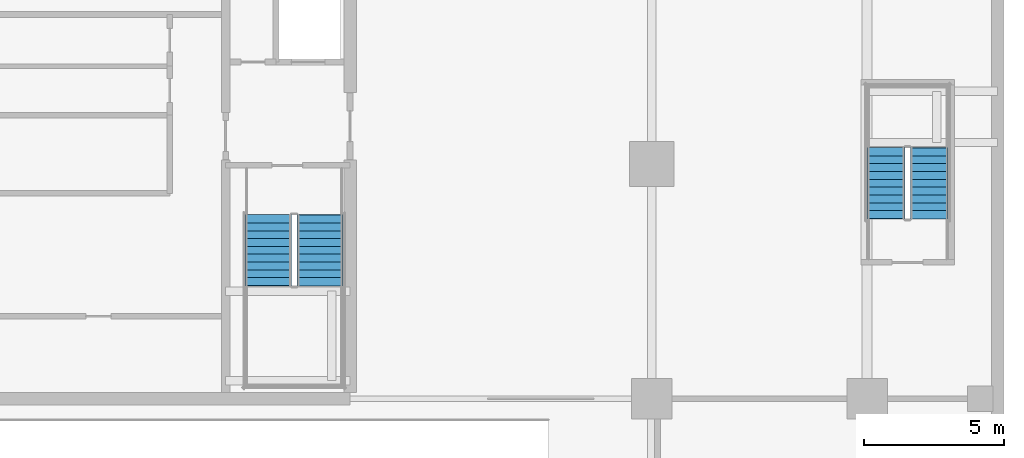
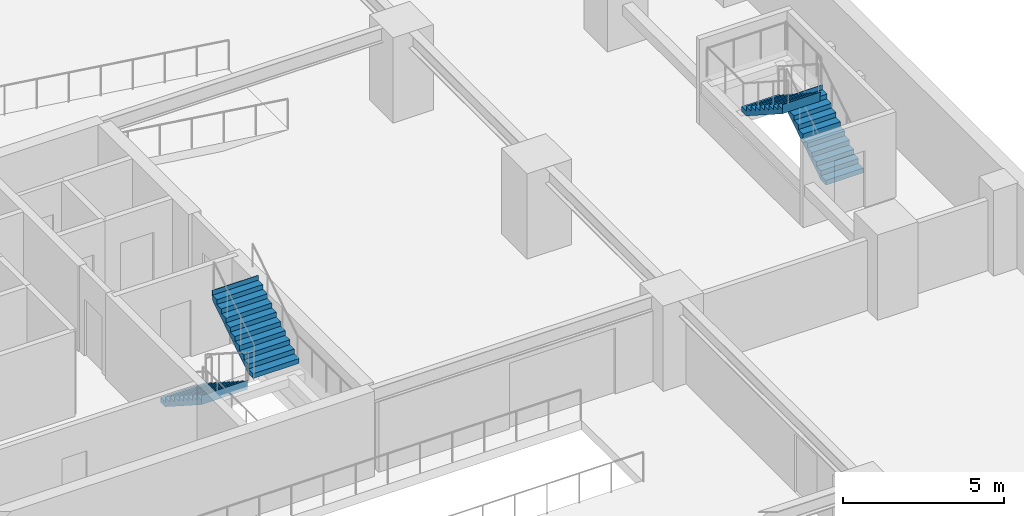
# One storey, part 6 of 10: 4 stair flights, 2 elements without a shape of their own.
"""IFC4 building model written with IfcOpenShell, lengths in metres."""

from ifc_helpers import new_model, si_unit, direction, frame, origin, place, context, subcontext, project, spatial, polygons, material, type_object, element, aggregate, save


model = new_model("IFC4")

# Units and contexts
model_context = context("Model", 3, precision=1e-05, world=origin(), true_north=direction((0.0, 1.0)))
body_context = subcontext(model_context, "Body", "Model", "MODEL_VIEW")
ifc_project = project(units=[si_unit("LENGTHUNIT", "METRE"), si_unit("AREAUNIT", "SQUARE_METRE"), si_unit("VOLUMEUNIT", "CUBIC_METRE"), si_unit("PLANEANGLEUNIT", "RADIAN"), si_unit("MASSUNIT", "GRAM", prefix="KILO")], contexts=[model_context])

# Site, building, storey
site_placement = place(None, origin())
site = spatial("IfcSite", under=ifc_project, at=site_placement, CompositionType="ELEMENT")
building_placement = place(site_placement, origin())
building = spatial("IfcBuilding", under=site, at=building_placement, Name="Serunith Strait Residences", CompositionType="ELEMENT")
storey_placement = place(building_placement, frame((0.0, 0.0, -7.199951171875)))
storey = spatial("IfcBuildingStorey", under=building, at=storey_placement, Name="B02", CompositionType="ELEMENT", Elevation=-7.199951171875)

# Stair, stair flights
ifc_material = material(Name="Concrete C50/60", Category="concrete")
stair_type_1 = type_object("IfcStairType", Name="STR-BSMT-6", PredefinedType="HALF_TURN_STAIR", material=ifc_material)
stair_1_placement = place(storey_placement, origin())
stair_1 = element("IfcStair", 1, at=stair_1_placement, inside=storey, type_object=stair_type_1, Name="B02 Basement Escape Stair ST-6", PredefinedType="HALF_TURN_STAIR")
stair_flight_type_1 = type_object("IfcStairFlightType", Name="FLT-BSMT-6", PredefinedType="STRAIGHT", material=ifc_material)
stair_flight_1_placement = place(storey_placement, frame((62.125, 23.25, 0.0), z_axis=(0.0, 0.0, 1.0), x_axis=(0.0, 1.0, 0.0)))
stair_flight_1 = element("IfcStairFlight", 2, at=stair_flight_1_placement, type_object=stair_flight_type_1, Name="ST-6 flight 1", NumberOfRisers=10, NumberOfTreads=9, PredefinedType="STRAIGHT", RiserHeight=0.18, TreadLength=0.28, context=body_context, shape_type="Tessellation", body=[
    polygons([(-0.02001953125, -0.675048828125, 0.0), (-0.02001953125, -0.675048828125, 0.179931640625), (0.280029296875, -0.675048828125, 0.179931640625), (0.280029296875, -0.675048828125, 0.360107421875), (0.56005859375, -0.675048828125, 0.360107421875), (0.56005859375, -0.675048828125, 0.5400390625), (0.840087890625, -0.675048828125, 0.5400390625), (0.840087890625, -0.675048828125, 0.719970703125), (1.1201171875, -0.675048828125, 0.719970703125), (1.1201171875, -0.675048828125, 0.89990234375), (1.39990234375, -0.675048828125, 0.89990234375), (1.39990234375, -0.675048828125, 1.080078125), (1.679931640625, -0.675048828125, 1.080078125), (1.679931640625, -0.675048828125, 1.260009765625), (1.9599609375, -0.675048828125, 1.260009765625), (1.9599609375, -0.675048828125, 1.43994140625), (2.239990234375, -0.675048828125, 1.43994140625), (2.239990234375, -0.675048828125, 1.6201171875), (2.52001953125, -0.675048828125, 1.6201171875), (2.52001953125, -0.675048828125, 1.800048828125), (2.5400390625, -0.675048828125, 1.800048828125), (2.5400390625, -0.675048828125, 1.739990234375), (2.52001953125, -0.675048828125, 1.44189453125), (0.277099609375, -0.675048828125, 0.0), (-0.02001953125, -0.33740234375, 0.0), (-0.02001953125, -0.33740234375, 0.179931640625), (0.280029296875, -0.33740234375, 0.179931640625), (0.280029296875, -0.33740234375, 0.360107421875), (0.56005859375, -0.33740234375, 0.360107421875), (0.56005859375, -0.33740234375, 0.5400390625), (0.840087890625, -0.33740234375, 0.5400390625), (0.840087890625, -0.33740234375, 0.719970703125), (1.1201171875, -0.33740234375, 0.719970703125), (1.1201171875, -0.33740234375, 0.89990234375), (1.39990234375, -0.33740234375, 0.89990234375), (1.39990234375, -0.33740234375, 1.080078125), (1.679931640625, -0.33740234375, 1.080078125), (1.679931640625, -0.33740234375, 1.260009765625), (1.9599609375, -0.33740234375, 1.260009765625), (1.9599609375, -0.33740234375, 1.43994140625), (2.239990234375, -0.33740234375, 1.43994140625), (2.239990234375, -0.33740234375, 1.6201171875), (2.52001953125, -0.33740234375, 1.6201171875), (2.52001953125, -0.33740234375, 1.800048828125), (2.5400390625, -0.33740234375, 1.800048828125), (2.5400390625, -0.33740234375, 1.739990234375), (2.52001953125, -0.33740234375, 1.44189453125), (0.277099609375, -0.33740234375, 0.0), (-0.02001953125, 0.0, 0.0), (-0.02001953125, 0.0, 0.179931640625), (0.280029296875, 0.0, 0.179931640625), (0.280029296875, 0.0, 0.360107421875), (0.56005859375, 0.0, 0.360107421875), (0.56005859375, 0.0, 0.5400390625), (0.840087890625, 0.0, 0.5400390625), (0.840087890625, 0.0, 0.719970703125), (1.1201171875, 0.0, 0.719970703125), (1.1201171875, 0.0, 0.89990234375), (1.39990234375, 0.0, 0.89990234375), (1.39990234375, 0.0, 1.080078125), (1.679931640625, 0.0, 1.080078125), (1.679931640625, 0.0, 1.260009765625), (1.9599609375, 0.0, 1.260009765625), (1.9599609375, 0.0, 1.43994140625), (2.239990234375, 0.0, 1.43994140625), (2.239990234375, 0.0, 1.6201171875), (2.52001953125, 0.0, 1.6201171875), (2.52001953125, 0.0, 1.800048828125), (2.5400390625, 0.0, 1.800048828125), (2.5400390625, 0.0, 1.739990234375), (2.52001953125, 0.0, 1.44189453125), (0.277099609375, 0.0, 0.0), (-0.02001953125, 0.33740234375, 0.0), (-0.02001953125, 0.33740234375, 0.179931640625), (0.280029296875, 0.33740234375, 0.179931640625), (0.280029296875, 0.33740234375, 0.360107421875), (0.56005859375, 0.33740234375, 0.360107421875), (0.56005859375, 0.33740234375, 0.5400390625), (0.840087890625, 0.33740234375, 0.5400390625), (0.840087890625, 0.33740234375, 0.719970703125), (1.1201171875, 0.33740234375, 0.719970703125), (1.1201171875, 0.33740234375, 0.89990234375), (1.39990234375, 0.33740234375, 0.89990234375), (1.39990234375, 0.33740234375, 1.080078125), (1.679931640625, 0.33740234375, 1.080078125), (1.679931640625, 0.33740234375, 1.260009765625), (1.9599609375, 0.33740234375, 1.260009765625), (1.9599609375, 0.33740234375, 1.43994140625), (2.239990234375, 0.33740234375, 1.43994140625), (2.239990234375, 0.33740234375, 1.6201171875), (2.52001953125, 0.33740234375, 1.6201171875), (2.52001953125, 0.33740234375, 1.800048828125), (2.5400390625, 0.33740234375, 1.800048828125), (2.5400390625, 0.33740234375, 1.739990234375), (2.52001953125, 0.33740234375, 1.44189453125), (0.277099609375, 0.33740234375, 0.0), (-0.02001953125, 0.675048828125, 0.0), (-0.02001953125, 0.675048828125, 0.179931640625), (0.280029296875, 0.675048828125, 0.179931640625), (0.280029296875, 0.675048828125, 0.360107421875), (0.56005859375, 0.675048828125, 0.360107421875), (0.56005859375, 0.675048828125, 0.5400390625), (0.840087890625, 0.675048828125, 0.5400390625), (0.840087890625, 0.675048828125, 0.719970703125), (1.1201171875, 0.675048828125, 0.719970703125), (1.1201171875, 0.675048828125, 0.89990234375), (1.39990234375, 0.675048828125, 0.89990234375), (1.39990234375, 0.675048828125, 1.080078125), (1.679931640625, 0.675048828125, 1.080078125), (1.679931640625, 0.675048828125, 1.260009765625), (1.9599609375, 0.675048828125, 1.260009765625), (1.9599609375, 0.675048828125, 1.43994140625), (2.239990234375, 0.675048828125, 1.43994140625), (2.239990234375, 0.675048828125, 1.6201171875), (2.52001953125, 0.675048828125, 1.6201171875), (2.52001953125, 0.675048828125, 1.800048828125), (2.5400390625, 0.675048828125, 1.800048828125), (2.5400390625, 0.675048828125, 1.739990234375), (2.52001953125, 0.675048828125, 1.44189453125), (0.277099609375, 0.675048828125, 0.0)], [[[1, 2, 26, 25]], [[2, 3, 27, 26]], [[3, 4, 28, 27]], [[4, 5, 29, 28]], [[5, 6, 30, 29]], [[6, 7, 31, 30]], [[7, 8, 32, 31]], [[8, 9, 33, 32]], [[9, 10, 34, 33]], [[10, 11, 35, 34]], [[11, 12, 36, 35]], [[12, 13, 37, 36]], [[13, 14, 38, 37]], [[14, 15, 39, 38]], [[15, 16, 40, 39]], [[16, 17, 41, 40]], [[17, 18, 42, 41]], [[18, 19, 43, 42]], [[19, 20, 44, 43]], [[20, 21, 45, 44]], [[21, 22, 46, 45]], [[22, 23, 47, 46]], [[23, 24, 48, 47]], [[24, 1, 25, 48]], [[25, 26, 50, 49]], [[26, 27, 51, 50]], [[27, 28, 52, 51]], [[28, 29, 53, 52]], [[29, 30, 54, 53]], [[30, 31, 55, 54]], [[31, 32, 56, 55]], [[32, 33, 57, 56]], [[33, 34, 58, 57]], [[34, 35, 59, 58]], [[35, 36, 60, 59]], [[36, 37, 61, 60]], [[37, 38, 62, 61]], [[38, 39, 63, 62]], [[39, 40, 64, 63]], [[40, 41, 65, 64]], [[41, 42, 66, 65]], [[42, 43, 67, 66]], [[43, 44, 68, 67]], [[44, 45, 69, 68]], [[45, 46, 70, 69]], [[46, 47, 71, 70]], [[47, 48, 72, 71]], [[48, 25, 49, 72]], [[49, 50, 74, 73]], [[50, 51, 75, 74]], [[51, 52, 76, 75]], [[52, 53, 77, 76]], [[53, 54, 78, 77]], [[54, 55, 79, 78]], [[55, 56, 80, 79]], [[56, 57, 81, 80]], [[57, 58, 82, 81]], [[58, 59, 83, 82]], [[59, 60, 84, 83]], [[60, 61, 85, 84]], [[61, 62, 86, 85]], [[62, 63, 87, 86]], [[63, 64, 88, 87]], [[64, 65, 89, 88]], [[65, 66, 90, 89]], [[66, 67, 91, 90]], [[67, 68, 92, 91]], [[68, 69, 93, 92]], [[69, 70, 94, 93]], [[70, 71, 95, 94]], [[71, 72, 96, 95]], [[72, 49, 73, 96]], [[73, 74, 98, 97]], [[74, 75, 99, 98]], [[75, 76, 100, 99]], [[76, 77, 101, 100]], [[77, 78, 102, 101]], [[78, 79, 103, 102]], [[79, 80, 104, 103]], [[80, 81, 105, 104]], [[81, 82, 106, 105]], [[82, 83, 107, 106]], [[83, 84, 108, 107]], [[84, 85, 109, 108]], [[85, 86, 110, 109]], [[86, 87, 111, 110]], [[87, 88, 112, 111]], [[88, 89, 113, 112]], [[89, 90, 114, 113]], [[90, 91, 115, 114]], [[91, 92, 116, 115]], [[92, 93, 117, 116]], [[93, 94, 118, 117]], [[94, 95, 119, 118]], [[95, 96, 120, 119]], [[96, 73, 97, 120]], [[24, 23, 22, 21, 20, 19, 18, 17, 16, 15, 14, 13, 12, 11, 10, 9, 8, 7, 6, 5, 4, 3, 2, 1]], [[97, 98, 99, 100, 101, 102, 103, 104, 105, 106, 107, 108, 109, 110, 111, 112, 113, 114, 115, 116, 117, 118, 119, 120]]], closed=True),
])
stair_flight_2_placement = place(storey_placement, frame((60.574951171875, 25.77001953125, 1.800048828125), z_axis=(0.0, 0.0, 1.0), x_axis=(0.0, -1.0, 0.0)))
stair_flight_2 = element("IfcStairFlight", 3, at=stair_flight_2_placement, type_object=stair_flight_type_1, Name="ST-6 flight 2", NumberOfRisers=10, NumberOfTreads=9, PredefinedType="STRAIGHT", RiserHeight=0.18, TreadLength=0.28, context=body_context, shape_type="Tessellation", body=[
    polygons([(-0.02001953125, -0.675048828125, 0.0), (-0.02001953125, -0.675048828125, 0.179931640625), (0.280029296875, -0.675048828125, 0.179931640625), (0.280029296875, -0.675048828125, 0.360107421875), (0.56005859375, -0.675048828125, 0.360107421875), (0.56005859375, -0.675048828125, 0.5400390625), (0.840087890625, -0.675048828125, 0.5400390625), (0.840087890625, -0.675048828125, 0.719970703125), (1.1201171875, -0.675048828125, 0.719970703125), (1.1201171875, -0.675048828125, 0.89990234375), (1.39990234375, -0.675048828125, 0.89990234375), (1.39990234375, -0.675048828125, 1.080078125), (1.679931640625, -0.675048828125, 1.080078125), (1.679931640625, -0.675048828125, 1.260009765625), (1.9599609375, -0.675048828125, 1.260009765625), (1.9599609375, -0.675048828125, 1.43994140625), (2.239990234375, -0.675048828125, 1.43994140625), (2.239990234375, -0.675048828125, 1.6201171875), (2.52001953125, -0.675048828125, 1.6201171875), (2.52001953125, -0.675048828125, 1.800048828125), (2.5400390625, -0.675048828125, 1.800048828125), (2.5400390625, -0.675048828125, 1.739990234375), (2.52001953125, -0.675048828125, 1.44189453125), (0.277099609375, -0.675048828125, 0.0), (-0.02001953125, -0.33740234375, 0.0), (-0.02001953125, -0.33740234375, 0.179931640625), (0.280029296875, -0.33740234375, 0.179931640625), (0.280029296875, -0.33740234375, 0.360107421875), (0.56005859375, -0.33740234375, 0.360107421875), (0.56005859375, -0.33740234375, 0.5400390625), (0.840087890625, -0.33740234375, 0.5400390625), (0.840087890625, -0.33740234375, 0.719970703125), (1.1201171875, -0.33740234375, 0.719970703125), (1.1201171875, -0.33740234375, 0.89990234375), (1.39990234375, -0.33740234375, 0.89990234375), (1.39990234375, -0.33740234375, 1.080078125), (1.679931640625, -0.33740234375, 1.080078125), (1.679931640625, -0.33740234375, 1.260009765625), (1.9599609375, -0.33740234375, 1.260009765625), (1.9599609375, -0.33740234375, 1.43994140625), (2.239990234375, -0.33740234375, 1.43994140625), (2.239990234375, -0.33740234375, 1.6201171875), (2.52001953125, -0.33740234375, 1.6201171875), (2.52001953125, -0.33740234375, 1.800048828125), (2.5400390625, -0.33740234375, 1.800048828125), (2.5400390625, -0.33740234375, 1.739990234375), (2.52001953125, -0.33740234375, 1.44189453125), (0.277099609375, -0.33740234375, 0.0), (-0.02001953125, 0.0, 0.0), (-0.02001953125, 0.0, 0.179931640625), (0.280029296875, 0.0, 0.179931640625), (0.280029296875, 0.0, 0.360107421875), (0.56005859375, 0.0, 0.360107421875), (0.56005859375, 0.0, 0.5400390625), (0.840087890625, 0.0, 0.5400390625), (0.840087890625, 0.0, 0.719970703125), (1.1201171875, 0.0, 0.719970703125), (1.1201171875, 0.0, 0.89990234375), (1.39990234375, 0.0, 0.89990234375), (1.39990234375, 0.0, 1.080078125), (1.679931640625, 0.0, 1.080078125), (1.679931640625, 0.0, 1.260009765625), (1.9599609375, 0.0, 1.260009765625), (1.9599609375, 0.0, 1.43994140625), (2.239990234375, 0.0, 1.43994140625), (2.239990234375, 0.0, 1.6201171875), (2.52001953125, 0.0, 1.6201171875), (2.52001953125, 0.0, 1.800048828125), (2.5400390625, 0.0, 1.800048828125), (2.5400390625, 0.0, 1.739990234375), (2.52001953125, 0.0, 1.44189453125), (0.277099609375, 0.0, 0.0), (-0.02001953125, 0.33740234375, 0.0), (-0.02001953125, 0.33740234375, 0.179931640625), (0.280029296875, 0.33740234375, 0.179931640625), (0.280029296875, 0.33740234375, 0.360107421875), (0.56005859375, 0.33740234375, 0.360107421875), (0.56005859375, 0.33740234375, 0.5400390625), (0.840087890625, 0.33740234375, 0.5400390625), (0.840087890625, 0.33740234375, 0.719970703125), (1.1201171875, 0.33740234375, 0.719970703125), (1.1201171875, 0.33740234375, 0.89990234375), (1.39990234375, 0.33740234375, 0.89990234375), (1.39990234375, 0.33740234375, 1.080078125), (1.679931640625, 0.33740234375, 1.080078125), (1.679931640625, 0.33740234375, 1.260009765625), (1.9599609375, 0.33740234375, 1.260009765625), (1.9599609375, 0.33740234375, 1.43994140625), (2.239990234375, 0.33740234375, 1.43994140625), (2.239990234375, 0.33740234375, 1.6201171875), (2.52001953125, 0.33740234375, 1.6201171875), (2.52001953125, 0.33740234375, 1.800048828125), (2.5400390625, 0.33740234375, 1.800048828125), (2.5400390625, 0.33740234375, 1.739990234375), (2.52001953125, 0.33740234375, 1.44189453125), (0.277099609375, 0.33740234375, 0.0), (-0.02001953125, 0.675048828125, 0.0), (-0.02001953125, 0.675048828125, 0.179931640625), (0.280029296875, 0.675048828125, 0.179931640625), (0.280029296875, 0.675048828125, 0.360107421875), (0.56005859375, 0.675048828125, 0.360107421875), (0.56005859375, 0.675048828125, 0.5400390625), (0.840087890625, 0.675048828125, 0.5400390625), (0.840087890625, 0.675048828125, 0.719970703125), (1.1201171875, 0.675048828125, 0.719970703125), (1.1201171875, 0.675048828125, 0.89990234375), (1.39990234375, 0.675048828125, 0.89990234375), (1.39990234375, 0.675048828125, 1.080078125), (1.679931640625, 0.675048828125, 1.080078125), (1.679931640625, 0.675048828125, 1.260009765625), (1.9599609375, 0.675048828125, 1.260009765625), (1.9599609375, 0.675048828125, 1.43994140625), (2.239990234375, 0.675048828125, 1.43994140625), (2.239990234375, 0.675048828125, 1.6201171875), (2.52001953125, 0.675048828125, 1.6201171875), (2.52001953125, 0.675048828125, 1.800048828125), (2.5400390625, 0.675048828125, 1.800048828125), (2.5400390625, 0.675048828125, 1.739990234375), (2.52001953125, 0.675048828125, 1.44189453125), (0.277099609375, 0.675048828125, 0.0)], [[[1, 2, 26, 25]], [[2, 3, 27, 26]], [[3, 4, 28, 27]], [[4, 5, 29, 28]], [[5, 6, 30, 29]], [[6, 7, 31, 30]], [[7, 8, 32, 31]], [[8, 9, 33, 32]], [[9, 10, 34, 33]], [[10, 11, 35, 34]], [[11, 12, 36, 35]], [[12, 13, 37, 36]], [[13, 14, 38, 37]], [[14, 15, 39, 38]], [[15, 16, 40, 39]], [[16, 17, 41, 40]], [[17, 18, 42, 41]], [[18, 19, 43, 42]], [[19, 20, 44, 43]], [[20, 21, 45, 44]], [[21, 22, 46, 45]], [[22, 23, 47, 46]], [[23, 24, 48, 47]], [[24, 1, 25, 48]], [[25, 26, 50, 49]], [[26, 27, 51, 50]], [[27, 28, 52, 51]], [[28, 29, 53, 52]], [[29, 30, 54, 53]], [[30, 31, 55, 54]], [[31, 32, 56, 55]], [[32, 33, 57, 56]], [[33, 34, 58, 57]], [[34, 35, 59, 58]], [[35, 36, 60, 59]], [[36, 37, 61, 60]], [[37, 38, 62, 61]], [[38, 39, 63, 62]], [[39, 40, 64, 63]], [[40, 41, 65, 64]], [[41, 42, 66, 65]], [[42, 43, 67, 66]], [[43, 44, 68, 67]], [[44, 45, 69, 68]], [[45, 46, 70, 69]], [[46, 47, 71, 70]], [[47, 48, 72, 71]], [[48, 25, 49, 72]], [[49, 50, 74, 73]], [[50, 51, 75, 74]], [[51, 52, 76, 75]], [[52, 53, 77, 76]], [[53, 54, 78, 77]], [[54, 55, 79, 78]], [[55, 56, 80, 79]], [[56, 57, 81, 80]], [[57, 58, 82, 81]], [[58, 59, 83, 82]], [[59, 60, 84, 83]], [[60, 61, 85, 84]], [[61, 62, 86, 85]], [[62, 63, 87, 86]], [[63, 64, 88, 87]], [[64, 65, 89, 88]], [[65, 66, 90, 89]], [[66, 67, 91, 90]], [[67, 68, 92, 91]], [[68, 69, 93, 92]], [[69, 70, 94, 93]], [[70, 71, 95, 94]], [[71, 72, 96, 95]], [[72, 49, 73, 96]], [[73, 74, 98, 97]], [[74, 75, 99, 98]], [[75, 76, 100, 99]], [[76, 77, 101, 100]], [[77, 78, 102, 101]], [[78, 79, 103, 102]], [[79, 80, 104, 103]], [[80, 81, 105, 104]], [[81, 82, 106, 105]], [[82, 83, 107, 106]], [[83, 84, 108, 107]], [[84, 85, 109, 108]], [[85, 86, 110, 109]], [[86, 87, 111, 110]], [[87, 88, 112, 111]], [[88, 89, 113, 112]], [[89, 90, 114, 113]], [[90, 91, 115, 114]], [[91, 92, 116, 115]], [[92, 93, 117, 116]], [[93, 94, 118, 117]], [[94, 95, 119, 118]], [[95, 96, 120, 119]], [[96, 73, 97, 120]], [[24, 23, 22, 21, 20, 19, 18, 17, 16, 15, 14, 13, 12, 11, 10, 9, 8, 7, 6, 5, 4, 3, 2, 1]], [[97, 98, 99, 100, 101, 102, 103, 104, 105, 106, 107, 108, 109, 110, 111, 112, 113, 114, 115, 116, 117, 118, 119, 120]]], closed=True),
])
aggregate(stair_1, [stair_flight_1, stair_flight_2])

stair_type_2 = type_object("IfcStairType", Name="STR-CORE-2", PredefinedType="HALF_TURN_STAIR", material=ifc_material)
stair_2_placement = place(storey_placement, origin())
stair_2 = element("IfcStair", 4, at=stair_2_placement, inside=storey, type_object=stair_type_2, Name="B02 Protected Escape Stair ST-2", PredefinedType="HALF_TURN_STAIR")
stair_flight_type_2 = type_object("IfcStairFlightType", Name="FLT-CORE-2", PredefinedType="STRAIGHT", material=ifc_material)
stair_flight_3_placement = place(storey_placement, frame((38.47509765625, 23.3701171875, 0.0), z_axis=(0.0, 0.0, 1.0), x_axis=(0.0, -1.0, 0.0)))
stair_flight_3 = element("IfcStairFlight", 5, at=stair_flight_3_placement, type_object=stair_flight_type_2, Name="ST-2 flight 1", NumberOfRisers=10, NumberOfTreads=9, PredefinedType="STRAIGHT", RiserHeight=0.18, TreadLength=0.28, context=body_context, shape_type="Tessellation", body=[
    polygons([(-0.02001953125, -0.824951171875, 0.0), (-0.02001953125, -0.824951171875, 0.179931640625), (0.280029296875, -0.824951171875, 0.179931640625), (0.280029296875, -0.824951171875, 0.360107421875), (0.56005859375, -0.824951171875, 0.360107421875), (0.56005859375, -0.824951171875, 0.5400390625), (0.840087890625, -0.824951171875, 0.5400390625), (0.840087890625, -0.824951171875, 0.719970703125), (1.1201171875, -0.824951171875, 0.719970703125), (1.1201171875, -0.824951171875, 0.89990234375), (1.39990234375, -0.824951171875, 0.89990234375), (1.39990234375, -0.824951171875, 1.080078125), (1.679931640625, -0.824951171875, 1.080078125), (1.679931640625, -0.824951171875, 1.260009765625), (1.9599609375, -0.824951171875, 1.260009765625), (1.9599609375, -0.824951171875, 1.43994140625), (2.239990234375, -0.824951171875, 1.43994140625), (2.239990234375, -0.824951171875, 1.6201171875), (2.52001953125, -0.824951171875, 1.6201171875), (2.52001953125, -0.824951171875, 1.800048828125), (2.5400390625, -0.824951171875, 1.800048828125), (2.5400390625, -0.824951171875, 1.739990234375), (2.52001953125, -0.824951171875, 1.44189453125), (0.277099609375, -0.824951171875, 0.0), (-0.02001953125, -0.41259765625, 0.0), (-0.02001953125, -0.41259765625, 0.179931640625), (0.280029296875, -0.41259765625, 0.179931640625), (0.280029296875, -0.41259765625, 0.360107421875), (0.56005859375, -0.41259765625, 0.360107421875), (0.56005859375, -0.41259765625, 0.5400390625), (0.840087890625, -0.41259765625, 0.5400390625), (0.840087890625, -0.41259765625, 0.719970703125), (1.1201171875, -0.41259765625, 0.719970703125), (1.1201171875, -0.41259765625, 0.89990234375), (1.39990234375, -0.41259765625, 0.89990234375), (1.39990234375, -0.41259765625, 1.080078125), (1.679931640625, -0.41259765625, 1.080078125), (1.679931640625, -0.41259765625, 1.260009765625), (1.9599609375, -0.41259765625, 1.260009765625), (1.9599609375, -0.41259765625, 1.43994140625), (2.239990234375, -0.41259765625, 1.43994140625), (2.239990234375, -0.41259765625, 1.6201171875), (2.52001953125, -0.41259765625, 1.6201171875), (2.52001953125, -0.41259765625, 1.800048828125), (2.5400390625, -0.41259765625, 1.800048828125), (2.5400390625, -0.41259765625, 1.739990234375), (2.52001953125, -0.41259765625, 1.44189453125), (0.277099609375, -0.41259765625, 0.0), (-0.02001953125, 0.0, 0.0), (-0.02001953125, 0.0, 0.179931640625), (0.280029296875, 0.0, 0.179931640625), (0.280029296875, 0.0, 0.360107421875), (0.56005859375, 0.0, 0.360107421875), (0.56005859375, 0.0, 0.5400390625), (0.840087890625, 0.0, 0.5400390625), (0.840087890625, 0.0, 0.719970703125), (1.1201171875, 0.0, 0.719970703125), (1.1201171875, 0.0, 0.89990234375), (1.39990234375, 0.0, 0.89990234375), (1.39990234375, 0.0, 1.080078125), (1.679931640625, 0.0, 1.080078125), (1.679931640625, 0.0, 1.260009765625), (1.9599609375, 0.0, 1.260009765625), (1.9599609375, 0.0, 1.43994140625), (2.239990234375, 0.0, 1.43994140625), (2.239990234375, 0.0, 1.6201171875), (2.52001953125, 0.0, 1.6201171875), (2.52001953125, 0.0, 1.800048828125), (2.5400390625, 0.0, 1.800048828125), (2.5400390625, 0.0, 1.739990234375), (2.52001953125, 0.0, 1.44189453125), (0.277099609375, 0.0, 0.0), (-0.02001953125, 0.41259765625, 0.0), (-0.02001953125, 0.41259765625, 0.179931640625), (0.280029296875, 0.41259765625, 0.179931640625), (0.280029296875, 0.41259765625, 0.360107421875), (0.56005859375, 0.41259765625, 0.360107421875), (0.56005859375, 0.41259765625, 0.5400390625), (0.840087890625, 0.41259765625, 0.5400390625), (0.840087890625, 0.41259765625, 0.719970703125), (1.1201171875, 0.41259765625, 0.719970703125), (1.1201171875, 0.41259765625, 0.89990234375), (1.39990234375, 0.41259765625, 0.89990234375), (1.39990234375, 0.41259765625, 1.080078125), (1.679931640625, 0.41259765625, 1.080078125), (1.679931640625, 0.41259765625, 1.260009765625), (1.9599609375, 0.41259765625, 1.260009765625), (1.9599609375, 0.41259765625, 1.43994140625), (2.239990234375, 0.41259765625, 1.43994140625), (2.239990234375, 0.41259765625, 1.6201171875), (2.52001953125, 0.41259765625, 1.6201171875), (2.52001953125, 0.41259765625, 1.800048828125), (2.5400390625, 0.41259765625, 1.800048828125), (2.5400390625, 0.41259765625, 1.739990234375), (2.52001953125, 0.41259765625, 1.44189453125), (0.277099609375, 0.41259765625, 0.0), (-0.02001953125, 0.824951171875, 0.0), (-0.02001953125, 0.824951171875, 0.179931640625), (0.280029296875, 0.824951171875, 0.179931640625), (0.280029296875, 0.824951171875, 0.360107421875), (0.56005859375, 0.824951171875, 0.360107421875), (0.56005859375, 0.824951171875, 0.5400390625), (0.840087890625, 0.824951171875, 0.5400390625), (0.840087890625, 0.824951171875, 0.719970703125), (1.1201171875, 0.824951171875, 0.719970703125), (1.1201171875, 0.824951171875, 0.89990234375), (1.39990234375, 0.824951171875, 0.89990234375), (1.39990234375, 0.824951171875, 1.080078125), (1.679931640625, 0.824951171875, 1.080078125), (1.679931640625, 0.824951171875, 1.260009765625), (1.9599609375, 0.824951171875, 1.260009765625), (1.9599609375, 0.824951171875, 1.43994140625), (2.239990234375, 0.824951171875, 1.43994140625), (2.239990234375, 0.824951171875, 1.6201171875), (2.52001953125, 0.824951171875, 1.6201171875), (2.52001953125, 0.824951171875, 1.800048828125), (2.5400390625, 0.824951171875, 1.800048828125), (2.5400390625, 0.824951171875, 1.739990234375), (2.52001953125, 0.824951171875, 1.44189453125), (0.277099609375, 0.824951171875, 0.0)], [[[1, 2, 26, 25]], [[2, 3, 27, 26]], [[3, 4, 28, 27]], [[4, 5, 29, 28]], [[5, 6, 30, 29]], [[6, 7, 31, 30]], [[7, 8, 32, 31]], [[8, 9, 33, 32]], [[9, 10, 34, 33]], [[10, 11, 35, 34]], [[11, 12, 36, 35]], [[12, 13, 37, 36]], [[13, 14, 38, 37]], [[14, 15, 39, 38]], [[15, 16, 40, 39]], [[16, 17, 41, 40]], [[17, 18, 42, 41]], [[18, 19, 43, 42]], [[19, 20, 44, 43]], [[20, 21, 45, 44]], [[21, 22, 46, 45]], [[22, 23, 47, 46]], [[23, 24, 48, 47]], [[24, 1, 25, 48]], [[25, 26, 50, 49]], [[26, 27, 51, 50]], [[27, 28, 52, 51]], [[28, 29, 53, 52]], [[29, 30, 54, 53]], [[30, 31, 55, 54]], [[31, 32, 56, 55]], [[32, 33, 57, 56]], [[33, 34, 58, 57]], [[34, 35, 59, 58]], [[35, 36, 60, 59]], [[36, 37, 61, 60]], [[37, 38, 62, 61]], [[38, 39, 63, 62]], [[39, 40, 64, 63]], [[40, 41, 65, 64]], [[41, 42, 66, 65]], [[42, 43, 67, 66]], [[43, 44, 68, 67]], [[44, 45, 69, 68]], [[45, 46, 70, 69]], [[46, 47, 71, 70]], [[47, 48, 72, 71]], [[48, 25, 49, 72]], [[49, 50, 74, 73]], [[50, 51, 75, 74]], [[51, 52, 76, 75]], [[52, 53, 77, 76]], [[53, 54, 78, 77]], [[54, 55, 79, 78]], [[55, 56, 80, 79]], [[56, 57, 81, 80]], [[57, 58, 82, 81]], [[58, 59, 83, 82]], [[59, 60, 84, 83]], [[60, 61, 85, 84]], [[61, 62, 86, 85]], [[62, 63, 87, 86]], [[63, 64, 88, 87]], [[64, 65, 89, 88]], [[65, 66, 90, 89]], [[66, 67, 91, 90]], [[67, 68, 92, 91]], [[68, 69, 93, 92]], [[69, 70, 94, 93]], [[70, 71, 95, 94]], [[71, 72, 96, 95]], [[72, 49, 73, 96]], [[73, 74, 98, 97]], [[74, 75, 99, 98]], [[75, 76, 100, 99]], [[76, 77, 101, 100]], [[77, 78, 102, 101]], [[78, 79, 103, 102]], [[79, 80, 104, 103]], [[80, 81, 105, 104]], [[81, 82, 106, 105]], [[82, 83, 107, 106]], [[83, 84, 108, 107]], [[84, 85, 109, 108]], [[85, 86, 110, 109]], [[86, 87, 111, 110]], [[87, 88, 112, 111]], [[88, 89, 113, 112]], [[89, 90, 114, 113]], [[90, 91, 115, 114]], [[91, 92, 116, 115]], [[92, 93, 117, 116]], [[93, 94, 118, 117]], [[94, 95, 119, 118]], [[95, 96, 120, 119]], [[96, 73, 97, 120]], [[24, 23, 22, 21, 20, 19, 18, 17, 16, 15, 14, 13, 12, 11, 10, 9, 8, 7, 6, 5, 4, 3, 2, 1]], [[97, 98, 99, 100, 101, 102, 103, 104, 105, 106, 107, 108, 109, 110, 111, 112, 113, 114, 115, 116, 117, 118, 119, 120]]], closed=True),
])
stair_flight_4_placement = place(storey_placement, frame((40.324951171875, 20.85009765625, 1.800048828125), z_axis=(0.0, 0.0, 1.0), x_axis=(0.0, 1.0, 0.0)))
stair_flight_4 = element("IfcStairFlight", 6, at=stair_flight_4_placement, type_object=stair_flight_type_2, Name="ST-2 flight 2", NumberOfRisers=10, NumberOfTreads=9, PredefinedType="STRAIGHT", RiserHeight=0.18, TreadLength=0.28, context=body_context, shape_type="Tessellation", body=[
    polygons([(-0.02001953125, -0.824951171875, 0.0), (-0.02001953125, -0.824951171875, 0.179931640625), (0.280029296875, -0.824951171875, 0.179931640625), (0.280029296875, -0.824951171875, 0.360107421875), (0.56005859375, -0.824951171875, 0.360107421875), (0.56005859375, -0.824951171875, 0.5400390625), (0.840087890625, -0.824951171875, 0.5400390625), (0.840087890625, -0.824951171875, 0.719970703125), (1.1201171875, -0.824951171875, 0.719970703125), (1.1201171875, -0.824951171875, 0.89990234375), (1.39990234375, -0.824951171875, 0.89990234375), (1.39990234375, -0.824951171875, 1.080078125), (1.679931640625, -0.824951171875, 1.080078125), (1.679931640625, -0.824951171875, 1.260009765625), (1.9599609375, -0.824951171875, 1.260009765625), (1.9599609375, -0.824951171875, 1.43994140625), (2.239990234375, -0.824951171875, 1.43994140625), (2.239990234375, -0.824951171875, 1.6201171875), (2.52001953125, -0.824951171875, 1.6201171875), (2.52001953125, -0.824951171875, 1.800048828125), (2.5400390625, -0.824951171875, 1.800048828125), (2.5400390625, -0.824951171875, 1.739990234375), (2.52001953125, -0.824951171875, 1.44189453125), (0.277099609375, -0.824951171875, 0.0), (-0.02001953125, -0.41259765625, 0.0), (-0.02001953125, -0.41259765625, 0.179931640625), (0.280029296875, -0.41259765625, 0.179931640625), (0.280029296875, -0.41259765625, 0.360107421875), (0.56005859375, -0.41259765625, 0.360107421875), (0.56005859375, -0.41259765625, 0.5400390625), (0.840087890625, -0.41259765625, 0.5400390625), (0.840087890625, -0.41259765625, 0.719970703125), (1.1201171875, -0.41259765625, 0.719970703125), (1.1201171875, -0.41259765625, 0.89990234375), (1.39990234375, -0.41259765625, 0.89990234375), (1.39990234375, -0.41259765625, 1.080078125), (1.679931640625, -0.41259765625, 1.080078125), (1.679931640625, -0.41259765625, 1.260009765625), (1.9599609375, -0.41259765625, 1.260009765625), (1.9599609375, -0.41259765625, 1.43994140625), (2.239990234375, -0.41259765625, 1.43994140625), (2.239990234375, -0.41259765625, 1.6201171875), (2.52001953125, -0.41259765625, 1.6201171875), (2.52001953125, -0.41259765625, 1.800048828125), (2.5400390625, -0.41259765625, 1.800048828125), (2.5400390625, -0.41259765625, 1.739990234375), (2.52001953125, -0.41259765625, 1.44189453125), (0.277099609375, -0.41259765625, 0.0), (-0.02001953125, 0.0, 0.0), (-0.02001953125, 0.0, 0.179931640625), (0.280029296875, 0.0, 0.179931640625), (0.280029296875, 0.0, 0.360107421875), (0.56005859375, 0.0, 0.360107421875), (0.56005859375, 0.0, 0.5400390625), (0.840087890625, 0.0, 0.5400390625), (0.840087890625, 0.0, 0.719970703125), (1.1201171875, 0.0, 0.719970703125), (1.1201171875, 0.0, 0.89990234375), (1.39990234375, 0.0, 0.89990234375), (1.39990234375, 0.0, 1.080078125), (1.679931640625, 0.0, 1.080078125), (1.679931640625, 0.0, 1.260009765625), (1.9599609375, 0.0, 1.260009765625), (1.9599609375, 0.0, 1.43994140625), (2.239990234375, 0.0, 1.43994140625), (2.239990234375, 0.0, 1.6201171875), (2.52001953125, 0.0, 1.6201171875), (2.52001953125, 0.0, 1.800048828125), (2.5400390625, 0.0, 1.800048828125), (2.5400390625, 0.0, 1.739990234375), (2.52001953125, 0.0, 1.44189453125), (0.277099609375, 0.0, 0.0), (-0.02001953125, 0.41259765625, 0.0), (-0.02001953125, 0.41259765625, 0.179931640625), (0.280029296875, 0.41259765625, 0.179931640625), (0.280029296875, 0.41259765625, 0.360107421875), (0.56005859375, 0.41259765625, 0.360107421875), (0.56005859375, 0.41259765625, 0.5400390625), (0.840087890625, 0.41259765625, 0.5400390625), (0.840087890625, 0.41259765625, 0.719970703125), (1.1201171875, 0.41259765625, 0.719970703125), (1.1201171875, 0.41259765625, 0.89990234375), (1.39990234375, 0.41259765625, 0.89990234375), (1.39990234375, 0.41259765625, 1.080078125), (1.679931640625, 0.41259765625, 1.080078125), (1.679931640625, 0.41259765625, 1.260009765625), (1.9599609375, 0.41259765625, 1.260009765625), (1.9599609375, 0.41259765625, 1.43994140625), (2.239990234375, 0.41259765625, 1.43994140625), (2.239990234375, 0.41259765625, 1.6201171875), (2.52001953125, 0.41259765625, 1.6201171875), (2.52001953125, 0.41259765625, 1.800048828125), (2.5400390625, 0.41259765625, 1.800048828125), (2.5400390625, 0.41259765625, 1.739990234375), (2.52001953125, 0.41259765625, 1.44189453125), (0.277099609375, 0.41259765625, 0.0), (-0.02001953125, 0.824951171875, 0.0), (-0.02001953125, 0.824951171875, 0.179931640625), (0.280029296875, 0.824951171875, 0.179931640625), (0.280029296875, 0.824951171875, 0.360107421875), (0.56005859375, 0.824951171875, 0.360107421875), (0.56005859375, 0.824951171875, 0.5400390625), (0.840087890625, 0.824951171875, 0.5400390625), (0.840087890625, 0.824951171875, 0.719970703125), (1.1201171875, 0.824951171875, 0.719970703125), (1.1201171875, 0.824951171875, 0.89990234375), (1.39990234375, 0.824951171875, 0.89990234375), (1.39990234375, 0.824951171875, 1.080078125), (1.679931640625, 0.824951171875, 1.080078125), (1.679931640625, 0.824951171875, 1.260009765625), (1.9599609375, 0.824951171875, 1.260009765625), (1.9599609375, 0.824951171875, 1.43994140625), (2.239990234375, 0.824951171875, 1.43994140625), (2.239990234375, 0.824951171875, 1.6201171875), (2.52001953125, 0.824951171875, 1.6201171875), (2.52001953125, 0.824951171875, 1.800048828125), (2.5400390625, 0.824951171875, 1.800048828125), (2.5400390625, 0.824951171875, 1.739990234375), (2.52001953125, 0.824951171875, 1.44189453125), (0.277099609375, 0.824951171875, 0.0)], [[[1, 2, 26, 25]], [[2, 3, 27, 26]], [[3, 4, 28, 27]], [[4, 5, 29, 28]], [[5, 6, 30, 29]], [[6, 7, 31, 30]], [[7, 8, 32, 31]], [[8, 9, 33, 32]], [[9, 10, 34, 33]], [[10, 11, 35, 34]], [[11, 12, 36, 35]], [[12, 13, 37, 36]], [[13, 14, 38, 37]], [[14, 15, 39, 38]], [[15, 16, 40, 39]], [[16, 17, 41, 40]], [[17, 18, 42, 41]], [[18, 19, 43, 42]], [[19, 20, 44, 43]], [[20, 21, 45, 44]], [[21, 22, 46, 45]], [[22, 23, 47, 46]], [[23, 24, 48, 47]], [[24, 1, 25, 48]], [[25, 26, 50, 49]], [[26, 27, 51, 50]], [[27, 28, 52, 51]], [[28, 29, 53, 52]], [[29, 30, 54, 53]], [[30, 31, 55, 54]], [[31, 32, 56, 55]], [[32, 33, 57, 56]], [[33, 34, 58, 57]], [[34, 35, 59, 58]], [[35, 36, 60, 59]], [[36, 37, 61, 60]], [[37, 38, 62, 61]], [[38, 39, 63, 62]], [[39, 40, 64, 63]], [[40, 41, 65, 64]], [[41, 42, 66, 65]], [[42, 43, 67, 66]], [[43, 44, 68, 67]], [[44, 45, 69, 68]], [[45, 46, 70, 69]], [[46, 47, 71, 70]], [[47, 48, 72, 71]], [[48, 25, 49, 72]], [[49, 50, 74, 73]], [[50, 51, 75, 74]], [[51, 52, 76, 75]], [[52, 53, 77, 76]], [[53, 54, 78, 77]], [[54, 55, 79, 78]], [[55, 56, 80, 79]], [[56, 57, 81, 80]], [[57, 58, 82, 81]], [[58, 59, 83, 82]], [[59, 60, 84, 83]], [[60, 61, 85, 84]], [[61, 62, 86, 85]], [[62, 63, 87, 86]], [[63, 64, 88, 87]], [[64, 65, 89, 88]], [[65, 66, 90, 89]], [[66, 67, 91, 90]], [[67, 68, 92, 91]], [[68, 69, 93, 92]], [[69, 70, 94, 93]], [[70, 71, 95, 94]], [[71, 72, 96, 95]], [[72, 49, 73, 96]], [[73, 74, 98, 97]], [[74, 75, 99, 98]], [[75, 76, 100, 99]], [[76, 77, 101, 100]], [[77, 78, 102, 101]], [[78, 79, 103, 102]], [[79, 80, 104, 103]], [[80, 81, 105, 104]], [[81, 82, 106, 105]], [[82, 83, 107, 106]], [[83, 84, 108, 107]], [[84, 85, 109, 108]], [[85, 86, 110, 109]], [[86, 87, 111, 110]], [[87, 88, 112, 111]], [[88, 89, 113, 112]], [[89, 90, 114, 113]], [[90, 91, 115, 114]], [[91, 92, 116, 115]], [[92, 93, 117, 116]], [[93, 94, 118, 117]], [[94, 95, 119, 118]], [[95, 96, 120, 119]], [[96, 73, 97, 120]], [[24, 23, 22, 21, 20, 19, 18, 17, 16, 15, 14, 13, 12, 11, 10, 9, 8, 7, 6, 5, 4, 3, 2, 1]], [[97, 98, 99, 100, 101, 102, 103, 104, 105, 106, 107, 108, 109, 110, 111, 112, 113, 114, 115, 116, 117, 118, 119, 120]]], closed=True),
])
aggregate(stair_2, [stair_flight_3, stair_flight_4])

save(model, "model.ifc")
